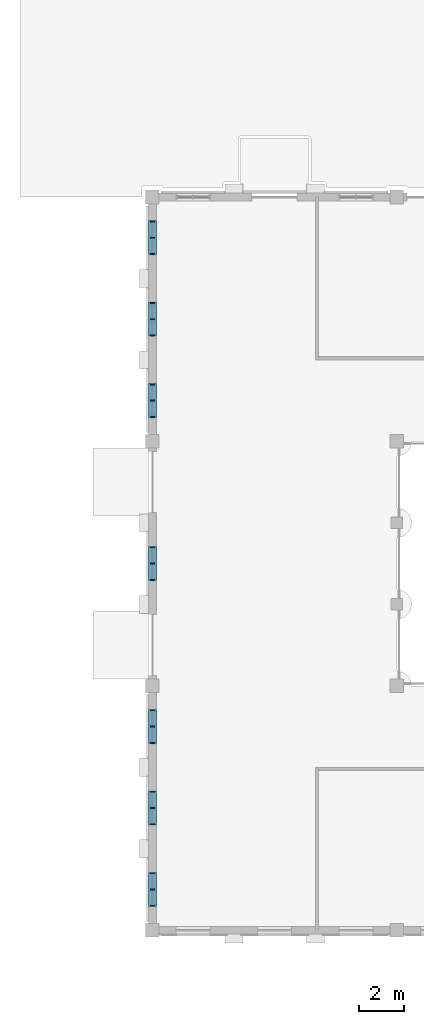
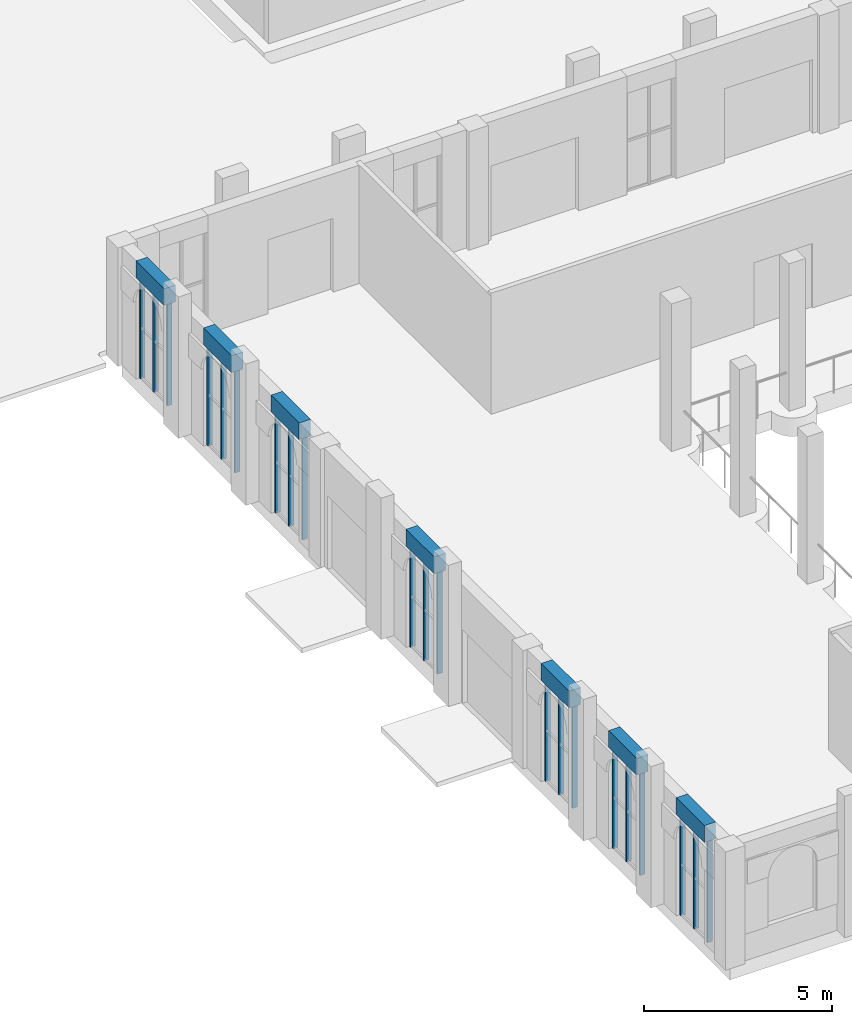
# One storey, part 12 of 91: 21 members, 7 beams, 7 elements without a shape of their own.
"""IFC4 building model written with IfcOpenShell, lengths in metres."""

from ifc_helpers import new_model, si_unit, direction, frame, origin, origin_2d, place, context, subcontext, project, spatial, rectangle, extrude, material, layer, layer_set, material_profile, profile_set, type_object, element, aggregate, save


model = new_model("IFC4")

# Units and contexts
model_context = context("Model", 3, precision=1e-05, world=origin(), true_north=direction((0.0, 1.0)))
body_context = subcontext(model_context, "Body", "Model", "MODEL_VIEW")
ifc_project = project(units=[si_unit("LENGTHUNIT", "METRE"), si_unit("AREAUNIT", "SQUARE_METRE"), si_unit("VOLUMEUNIT", "CUBIC_METRE"), si_unit("PLANEANGLEUNIT", "RADIAN"), si_unit("MASSUNIT", "GRAM", prefix="KILO")], contexts=[model_context])

# Site, building, storey
site_placement = place(None, origin())
site = spatial("IfcSite", under=ifc_project, at=site_placement, CompositionType="ELEMENT")
building_placement = place(site_placement, origin())
building = spatial("IfcBuilding", under=site, at=building_placement, Name="Magnolia Steps Interchange", CompositionType="ELEMENT")
storey_placement = place(building_placement, origin())
storey = spatial("IfcBuildingStorey", under=building, at=storey_placement, Name="L00", CompositionType="ELEMENT", Elevation=0.0)

# Curtain wall, members
ifc_material_1 = material(Name="Timber-framed glazing", Category="wood")
ifc_layer = layer(ifc_material_1, 0.139892578125)
ifc_layer_set = layer_set([ifc_layer], Name="Cycle hub shopfront curtain wall")
curtain_wall_type = type_object("IfcCurtainWallType", Name="Cycle hub shopfront curtain wall", PredefinedType="NOTDEFINED", material=ifc_layer_set)
curtain_wall_1_placement = place(storey_placement, origin())
curtain_wall_1 = element("IfcCurtainWall", 1, at=curtain_wall_1_placement, inside=storey, type_object=curtain_wall_type, Name="Cycle hub west wall L00 glazing 2", PredefinedType="NOTDEFINED")
ifc_material_2 = material(Name="White powder-coated aluminium", Category="aluminium")
ifc_material_profile_1 = material_profile(ifc_material_2, rectangle(XDim=0.06005859375, YDim=0.14990234375, at=origin_2d()), Name="Aluminium mullion 60 x 150")
ifc_profile_set_1 = profile_set([ifc_material_profile_1], Name="White powder-coated aluminium")
member_type = type_object("IfcMemberType", Name="Aluminium mullion 60 x 150", PredefinedType="MULLION", material=ifc_profile_set_1)
member_1_placement = place(storey_placement, frame((10.0, 11.080078125, 0.0), z_axis=(0.0, 0.0, 1.0), x_axis=(0.0, 1.0, 0.0)))
member_1 = element("IfcMember", 2, at=member_1_placement, type_object=member_type, Name="CW7 mullion 1", PredefinedType="MULLION", context=body_context, shape_type="SweptSolid", body=[
    extrude(rectangle(XDim=0.06005859375, YDim=0.14990234375, at=origin_2d()), origin(), (0.0, 0.0, 1.0), 3.300048828125),
])
member_2_placement = place(storey_placement, frame((10.0, 11.800048828125, 0.0), z_axis=(0.0, 0.0, 1.0), x_axis=(0.0, 1.0, 0.0)))
member_2 = element("IfcMember", 3, at=member_2_placement, type_object=member_type, Name="CW7 mullion 2", PredefinedType="MULLION", context=body_context, shape_type="SweptSolid", body=[
    extrude(rectangle(XDim=0.06005859375, YDim=0.14990234375, at=origin_2d()), origin(), (0.0, 0.0, 1.0), 3.300048828125),
])
member_3_placement = place(storey_placement, frame((10.0, 12.52001953125, 0.0), z_axis=(0.0, 0.0, 1.0), x_axis=(0.0, 1.0, 0.0)))
member_3 = element("IfcMember", 4, at=member_3_placement, type_object=member_type, Name="CW7 mullion 3", PredefinedType="MULLION", context=body_context, shape_type="SweptSolid", body=[
    extrude(rectangle(XDim=0.06005859375, YDim=0.14990234375, at=origin_2d()), origin(), (0.0, 0.0, 1.0), 3.300048828125),
])
aggregate(curtain_wall_1, [member_1, member_2, member_3])

curtain_wall_2_placement = place(storey_placement, origin())
curtain_wall_2 = element("IfcCurtainWall", 5, at=curtain_wall_2_placement, inside=storey, type_object=curtain_wall_type, Name="Cycle hub west wall L00 glazing 4", PredefinedType="NOTDEFINED")
member_4_placement = place(storey_placement, frame((10.0, 14.679931640625, 0.0), z_axis=(0.0, 0.0, 1.0), x_axis=(0.0, 1.0, 0.0)))
member_4 = element("IfcMember", 6, at=member_4_placement, type_object=member_type, Name="CW7 mullion 1", PredefinedType="MULLION", context=body_context, shape_type="SweptSolid", body=[
    extrude(rectangle(XDim=0.06005859375, YDim=0.14990234375, at=origin_2d()), origin(), (0.0, 0.0, 1.0), 3.300048828125),
])
member_5_placement = place(storey_placement, frame((10.0, 15.39990234375, 0.0), z_axis=(0.0, 0.0, 1.0), x_axis=(0.0, 1.0, 0.0)))
member_5 = element("IfcMember", 7, at=member_5_placement, type_object=member_type, Name="CW7 mullion 2", PredefinedType="MULLION", context=body_context, shape_type="SweptSolid", body=[
    extrude(rectangle(XDim=0.06005859375, YDim=0.14990234375, at=origin_2d()), origin(), (0.0, 0.0, 1.0), 3.300048828125),
])
member_6_placement = place(storey_placement, frame((10.0, 16.1201171875, 0.0), z_axis=(0.0, 0.0, 1.0), x_axis=(0.0, 1.0, 0.0)))
member_6 = element("IfcMember", 8, at=member_6_placement, type_object=member_type, Name="CW7 mullion 3", PredefinedType="MULLION", context=body_context, shape_type="SweptSolid", body=[
    extrude(rectangle(XDim=0.06005859375, YDim=0.14990234375, at=origin_2d()), origin(), (0.0, 0.0, 1.0), 3.300048828125),
])
aggregate(curtain_wall_2, [member_4, member_5, member_6])

curtain_wall_3_placement = place(storey_placement, origin())
curtain_wall_3 = element("IfcCurtainWall", 9, at=curtain_wall_3_placement, inside=storey, type_object=curtain_wall_type, Name="Cycle hub west wall L00 glazing 6", PredefinedType="NOTDEFINED")
member_7_placement = place(storey_placement, frame((10.0, 18.280029296875, 0.0), z_axis=(0.0, 0.0, 1.0), x_axis=(0.0, 1.0, 0.0)))
member_7 = element("IfcMember", 10, at=member_7_placement, type_object=member_type, Name="CW7 mullion 1", PredefinedType="MULLION", context=body_context, shape_type="SweptSolid", body=[
    extrude(rectangle(XDim=0.06005859375, YDim=0.14990234375, at=origin_2d()), origin(), (0.0, 0.0, 1.0), 3.300048828125),
])
member_8_placement = place(storey_placement, frame((10.0, 19.0, 0.0), z_axis=(0.0, 0.0, 1.0), x_axis=(0.0, 1.0, 0.0)))
member_8 = element("IfcMember", 11, at=member_8_placement, type_object=member_type, Name="CW7 mullion 2", PredefinedType="MULLION", context=body_context, shape_type="SweptSolid", body=[
    extrude(rectangle(XDim=0.06005859375, YDim=0.14990234375, at=origin_2d()), origin(), (0.0, 0.0, 1.0), 3.300048828125),
])
member_9_placement = place(storey_placement, frame((10.0, 19.719970703125, 0.0), z_axis=(0.0, 0.0, 1.0), x_axis=(0.0, 1.0, 0.0)))
member_9 = element("IfcMember", 12, at=member_9_placement, type_object=member_type, Name="CW7 mullion 3", PredefinedType="MULLION", context=body_context, shape_type="SweptSolid", body=[
    extrude(rectangle(XDim=0.06005859375, YDim=0.14990234375, at=origin_2d()), origin(), (0.0, 0.0, 1.0), 3.300048828125),
])
aggregate(curtain_wall_3, [member_7, member_8, member_9])

curtain_wall_4_placement = place(storey_placement, origin())
curtain_wall_4 = element("IfcCurtainWall", 13, at=curtain_wall_4_placement, inside=storey, type_object=curtain_wall_type, Name="Cycle hub west wall L00 glazing 8", PredefinedType="NOTDEFINED")
member_10_placement = place(storey_placement, frame((10.0, 25.47998046875, 0.0), z_axis=(0.0, 0.0, 1.0), x_axis=(0.0, 1.0, 0.0)))
member_10 = element("IfcMember", 14, at=member_10_placement, type_object=member_type, Name="CW7 mullion 1", PredefinedType="MULLION", context=body_context, shape_type="SweptSolid", body=[
    extrude(rectangle(XDim=0.06005859375, YDim=0.14990234375, at=origin_2d()), origin(), (0.0, 0.0, 1.0), 3.300048828125),
])
member_11_placement = place(storey_placement, frame((10.0, 26.199951171875, 0.0), z_axis=(0.0, 0.0, 1.0), x_axis=(0.0, 1.0, 0.0)))
member_11 = element("IfcMember", 15, at=member_11_placement, type_object=member_type, Name="CW7 mullion 2", PredefinedType="MULLION", context=body_context, shape_type="SweptSolid", body=[
    extrude(rectangle(XDim=0.06005859375, YDim=0.14990234375, at=origin_2d()), origin(), (0.0, 0.0, 1.0), 3.300048828125),
])
member_12_placement = place(storey_placement, frame((10.0, 26.919921875, 0.0), z_axis=(0.0, 0.0, 1.0), x_axis=(0.0, 1.0, 0.0)))
member_12 = element("IfcMember", 16, at=member_12_placement, type_object=member_type, Name="CW7 mullion 3", PredefinedType="MULLION", context=body_context, shape_type="SweptSolid", body=[
    extrude(rectangle(XDim=0.06005859375, YDim=0.14990234375, at=origin_2d()), origin(), (0.0, 0.0, 1.0), 3.300048828125),
])
aggregate(curtain_wall_4, [member_10, member_11, member_12])

curtain_wall_5_placement = place(storey_placement, origin())
curtain_wall_5 = element("IfcCurtainWall", 17, at=curtain_wall_5_placement, inside=storey, type_object=curtain_wall_type, Name="Cycle hub west wall L00 glazing 10", PredefinedType="NOTDEFINED")
member_13_placement = place(storey_placement, frame((10.0, 32.679931640625, 0.0), z_axis=(0.0, 0.0, 1.0), x_axis=(0.0, 1.0, 0.0)))
member_13 = element("IfcMember", 18, at=member_13_placement, type_object=member_type, Name="CW7 mullion 1", PredefinedType="MULLION", context=body_context, shape_type="SweptSolid", body=[
    extrude(rectangle(XDim=0.06005859375, YDim=0.14990234375, at=origin_2d()), origin(), (0.0, 0.0, 1.0), 3.300048828125),
])
member_14_placement = place(storey_placement, frame((10.0, 33.39990234375, 0.0), z_axis=(0.0, 0.0, 1.0), x_axis=(0.0, 1.0, 0.0)))
member_14 = element("IfcMember", 19, at=member_14_placement, type_object=member_type, Name="CW7 mullion 2", PredefinedType="MULLION", context=body_context, shape_type="SweptSolid", body=[
    extrude(rectangle(XDim=0.06005859375, YDim=0.14990234375, at=origin_2d()), origin(), (0.0, 0.0, 1.0), 3.300048828125),
])
member_15_placement = place(storey_placement, frame((10.0, 34.1201171875, 0.0), z_axis=(0.0, 0.0, 1.0), x_axis=(0.0, 1.0, 0.0)))
member_15 = element("IfcMember", 20, at=member_15_placement, type_object=member_type, Name="CW7 mullion 3", PredefinedType="MULLION", context=body_context, shape_type="SweptSolid", body=[
    extrude(rectangle(XDim=0.06005859375, YDim=0.14990234375, at=origin_2d()), origin(), (0.0, 0.0, 1.0), 3.300048828125),
])
aggregate(curtain_wall_5, [member_13, member_14, member_15])

curtain_wall_6_placement = place(storey_placement, origin())
curtain_wall_6 = element("IfcCurtainWall", 21, at=curtain_wall_6_placement, inside=storey, type_object=curtain_wall_type, Name="Cycle hub west wall L00 glazing 12", PredefinedType="NOTDEFINED")
member_16_placement = place(storey_placement, frame((10.0, 36.280029296875, 0.0), z_axis=(0.0, 0.0, 1.0), x_axis=(0.0, 1.0, 0.0)))
member_16 = element("IfcMember", 22, at=member_16_placement, type_object=member_type, Name="CW7 mullion 1", PredefinedType="MULLION", context=body_context, shape_type="SweptSolid", body=[
    extrude(rectangle(XDim=0.06005859375, YDim=0.14990234375, at=origin_2d()), origin(), (0.0, 0.0, 1.0), 3.300048828125),
])
member_17_placement = place(storey_placement, frame((10.0, 37.0, 0.0), z_axis=(0.0, 0.0, 1.0), x_axis=(0.0, 1.0, 0.0)))
member_17 = element("IfcMember", 23, at=member_17_placement, type_object=member_type, Name="CW7 mullion 2", PredefinedType="MULLION", context=body_context, shape_type="SweptSolid", body=[
    extrude(rectangle(XDim=0.06005859375, YDim=0.14990234375, at=origin_2d()), origin(), (0.0, 0.0, 1.0), 3.300048828125),
])
member_18_placement = place(storey_placement, frame((10.0, 37.719970703125, 0.0), z_axis=(0.0, 0.0, 1.0), x_axis=(0.0, 1.0, 0.0)))
member_18 = element("IfcMember", 24, at=member_18_placement, type_object=member_type, Name="CW7 mullion 3", PredefinedType="MULLION", context=body_context, shape_type="SweptSolid", body=[
    extrude(rectangle(XDim=0.06005859375, YDim=0.14990234375, at=origin_2d()), origin(), (0.0, 0.0, 1.0), 3.300048828125),
])
aggregate(curtain_wall_6, [member_16, member_17, member_18])

curtain_wall_7_placement = place(storey_placement, origin())
curtain_wall_7 = element("IfcCurtainWall", 25, at=curtain_wall_7_placement, inside=storey, type_object=curtain_wall_type, Name="Cycle hub west wall L00 glazing 14", PredefinedType="NOTDEFINED")
member_19_placement = place(storey_placement, frame((10.0, 39.8798828125, 0.0), z_axis=(0.0, 0.0, 1.0), x_axis=(0.0, 1.0, 0.0)))
member_19 = element("IfcMember", 26, at=member_19_placement, type_object=member_type, Name="CW7 mullion 1", PredefinedType="MULLION", context=body_context, shape_type="SweptSolid", body=[
    extrude(rectangle(XDim=0.06005859375, YDim=0.14990234375, at=origin_2d()), origin(), (0.0, 0.0, 1.0), 3.300048828125),
])
member_20_placement = place(storey_placement, frame((10.0, 40.60009765625, 0.0), z_axis=(0.0, 0.0, 1.0), x_axis=(0.0, 1.0, 0.0)))
member_20 = element("IfcMember", 27, at=member_20_placement, type_object=member_type, Name="CW7 mullion 2", PredefinedType="MULLION", context=body_context, shape_type="SweptSolid", body=[
    extrude(rectangle(XDim=0.06005859375, YDim=0.14990234375, at=origin_2d()), origin(), (0.0, 0.0, 1.0), 3.300048828125),
])
member_21_placement = place(storey_placement, frame((10.0, 41.320068359375, 0.0), z_axis=(0.0, 0.0, 1.0), x_axis=(0.0, 1.0, 0.0)))
member_21 = element("IfcMember", 28, at=member_21_placement, type_object=member_type, Name="CW7 mullion 3", PredefinedType="MULLION", context=body_context, shape_type="SweptSolid", body=[
    extrude(rectangle(XDim=0.06005859375, YDim=0.14990234375, at=origin_2d()), origin(), (0.0, 0.0, 1.0), 3.300048828125),
])
aggregate(curtain_wall_7, [member_19, member_20, member_21])

# Beams
ifc_material_3 = material(Name="Concrete C40", Category="concrete")
ifc_material_profile_2 = material_profile(ifc_material_3, rectangle(XDim=0.35009765625, YDim=0.550048828125, at=origin_2d()), Name="RC350x550")
ifc_profile_set_2 = profile_set([ifc_material_profile_2], Name="Concrete C40")
beam_type = type_object("IfcBeamType", Name="Lime render lintel 350x550", PredefinedType="LINTEL", material=ifc_profile_set_2)
for number, where, z_axis, x_axis, name in (
    (29, (10.0, 11.050048828125, 3.574951171875), (0.0, 1.0, 0.0), (-1.0, 0.0, 0.0), "Cycle hub west wall L00 lintel 2"),
    (30, (10.0, 14.64990234375, 3.574951171875), (0.0, 1.0, 0.0), (-1.0, 0.0, 0.0), "Cycle hub west wall L00 lintel 4"),
    (31, (10.0, 18.25, 3.574951171875), (0.0, 1.0, 0.0), (-1.0, 0.0, 0.0), "Cycle hub west wall L00 lintel 6"),
    (32, (10.0, 25.449951171875, 3.574951171875), (0.0, 1.0, 0.0), (-1.0, 0.0, 0.0), "Cycle hub west wall L00 lintel 8"),
    (33, (10.0, 32.64990234375, 3.574951171875), (0.0, 1.0, 0.0), (-1.0, 0.0, 0.0), "Cycle hub west wall L00 lintel 10"),
    (34, (10.0, 36.25, 3.574951171875), (0.0, 1.0, 0.0), (-1.0, 0.0, 0.0), "Cycle hub west wall L00 lintel 12"),
    (35, (10.0, 39.85009765625, 3.574951171875), (0.0, 1.0, 0.0), (-1.0, 0.0, 0.0), "Cycle hub west wall L00 lintel 14"),
):
    element("IfcBeam", number, at=place(storey_placement, frame(where, z_axis=z_axis, x_axis=x_axis)), inside=storey, type_object=beam_type, Name=name, PredefinedType="LINTEL", context=body_context, shape_type="SweptSolid", body=[
        extrude(rectangle(XDim=0.35009765625, YDim=0.550048828125, at=origin_2d()), origin(), (0.0, 0.0, 1.0), 1.5),
    ])

save(model, "model.ifc")
